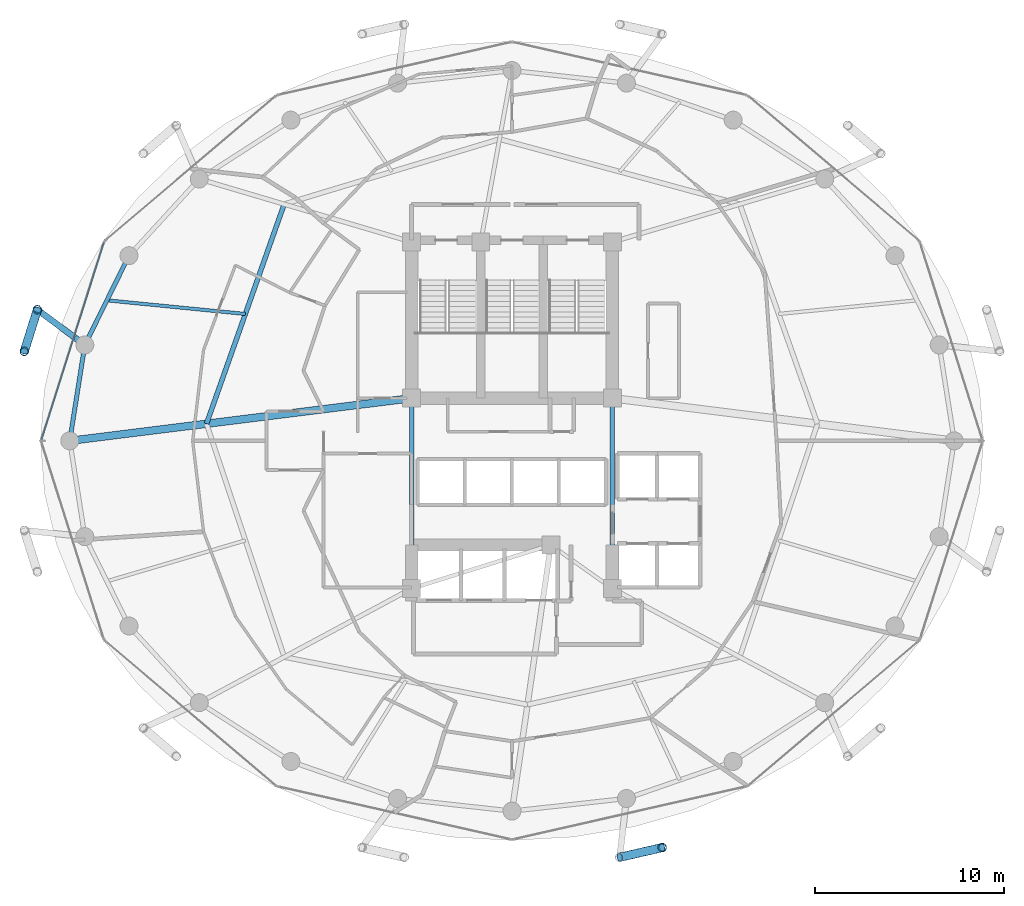
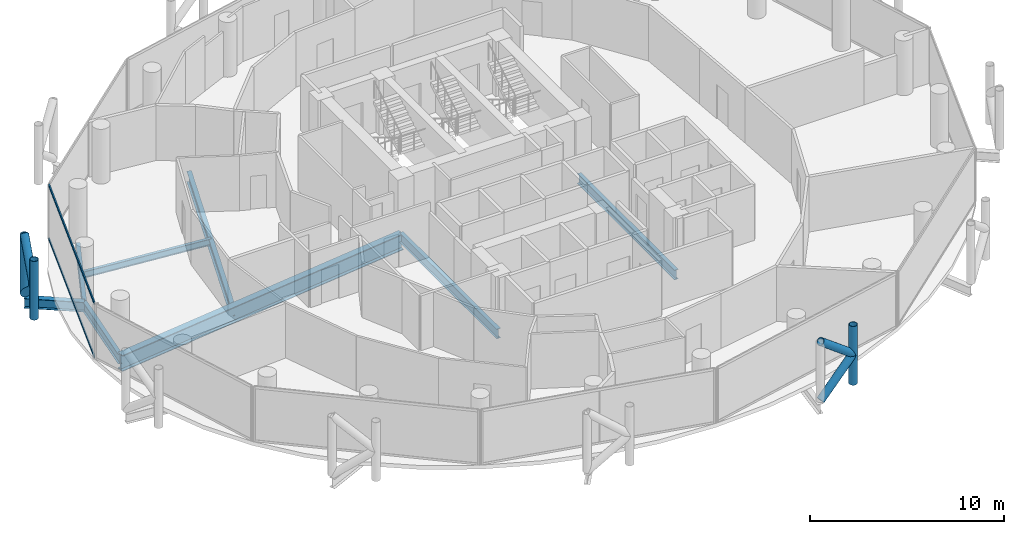
# One storey, part 7 of 27: 9 members, 8 beams, 1 element without a shape of its own.
"""IFC4 building model written with IfcOpenShell, lengths in metres."""

from ifc_helpers import new_model, si_unit, direction, frame, origin, origin_2d, place, context, subcontext, project, spatial, hollow_rectangle, hollow_circle, i_section, extrude, material, layer, layer_set, material_profile, profile_set, type_object, element, aggregate, save


model = new_model("IFC4")

# Units and contexts
model_context = context("Model", 3, precision=1e-05, world=origin(), true_north=direction((0.0, 1.0)))
body_context = subcontext(model_context, "Body", "Model", "MODEL_VIEW")
ifc_project = project(units=[si_unit("LENGTHUNIT", "METRE"), si_unit("AREAUNIT", "SQUARE_METRE"), si_unit("VOLUMEUNIT", "CUBIC_METRE"), si_unit("PLANEANGLEUNIT", "RADIAN"), si_unit("MASSUNIT", "GRAM", prefix="KILO")], contexts=[model_context])

# Site, building, storey
site_placement = place(None, origin())
site = spatial("IfcSite", under=ifc_project, at=site_placement, CompositionType="ELEMENT")
building_placement = place(site_placement, origin())
building = spatial("IfcBuilding", under=site, at=building_placement, Name="Nuhasar Tower", CompositionType="ELEMENT")
storey_placement = place(building_placement, frame((0.0, 0.0, 158.949951171875)))
storey = spatial("IfcBuildingStorey", under=building, at=storey_placement, Name="L38", CompositionType="ELEMENT", Elevation=158.949951171875)

# Beams
ifc_material_1 = material(Name="Steel S355", Category="steel")
ifc_material_profile_1 = material_profile(ifc_material_1, i_section(OverallWidth=0.25390625, OverallDepth=0.68408203125, WebThickness=0.012451171875, FlangeThickness=0.018798828125, at=origin_2d()), Name="W27X94")
ifc_profile_set_1 = profile_set([ifc_material_profile_1], Name="Steel S355")
beam_type_1 = type_object("IfcBeamType", Name="BM-INRING-W27X94", PredefinedType="BEAM", material=ifc_profile_set_1)
beam_1_placement = place(storey_placement, frame((26.972900390625, 39.2939453125, -0.592041015625), z_axis=(-0.333599821096, -0.942714781556, 0.0), x_axis=(0.942714781556, -0.333599821096, 0.0)))
element("IfcBeam", 1, at=beam_1_placement, inside=storey, type_object=beam_type_1, Name="L38 Inner Header Beam 07", PredefinedType="BEAM", context=body_context, shape_type="SweptSolid", body=[
    extrude(i_section(OverallWidth=0.25390625, OverallDepth=0.68408203125, WebThickness=0.012451171875, FlangeThickness=0.018798828125, at=origin_2d()), origin(), (0.0, 0.0, 1.0), 12.298583984375),
])
ifc_material_profile_2 = material_profile(ifc_material_1, i_section(OverallWidth=0.177978515625, OverallDepth=0.406005859375, WebThickness=0.0078125, FlangeThickness=0.0126953125, at=origin_2d()), Name="W16X40")
ifc_profile_set_2 = profile_set([ifc_material_profile_2], Name="Steel S355")
beam_type_2 = type_object("IfcBeamType", Name="BM-JST-W16X40", PredefinedType="JOIST", material=ifc_profile_set_2)
beam_2_placement = place(storey_placement, frame((24.922119140625, 33.4970703125, -0.452880859375), z_axis=(-0.995171845755, 0.098147834497, 0.0), x_axis=(-0.098147834497, -0.995171845755, 0.0)))
element("IfcBeam", 2, at=beam_2_placement, inside=storey, type_object=beam_type_2, Name="L38 Secondary Floor Joist 07", PredefinedType="JOIST", context=body_context, shape_type="SweptSolid", body=[
    extrude(i_section(OverallWidth=0.177978515625, OverallDepth=0.406005859375, WebThickness=0.0078125, FlangeThickness=0.0126953125, at=origin_2d()), origin(), (0.0, 0.0, 1.0), 7.345458984375),
])
ifc_material_profile_3 = material_profile(ifc_material_1, i_section(OverallWidth=0.22900390625, OverallDepth=0.612060546875, WebThickness=0.011962890625, FlangeThickness=0.01953125, at=origin_2d()), Name="W24X84")
ifc_profile_set_3 = profile_set([ifc_material_profile_3], Name="Steel S355")
beam_type_3 = type_object("IfcBeamType", Name="BM-RAD-W24X84", PredefinedType="BEAM", material=ifc_profile_set_3)
for number, where, z_axis, x_axis, name in (
    (3, (44.300048828125, 19.0, -0.555908203125), (0.0, 1.0, 0.0), (-1.0, 0.0, 0.0), "L38 Core Ring Girder 3"),
    (4, (33.699951171875, 29.050048828125, -0.555908203125), (0.0, -1.0, 0.0), (1.0, 0.0, 0.0), "L38 Core Ring Girder 8"),
):
    element("IfcBeam", number, at=place(storey_placement, frame(where, z_axis=z_axis, x_axis=x_axis)), inside=storey, type_object=beam_type_3, Name=name, PredefinedType="BEAM", context=body_context, shape_type="SweptSolid", body=[
        extrude(i_section(OverallWidth=0.22900390625, OverallDepth=0.612060546875, WebThickness=0.011962890625, FlangeThickness=0.01953125, at=origin_2d()), origin(), (0.0, 0.0, 1.0), 10.050048828125),
    ])
ifc_material_profile_4 = material_profile(ifc_material_1, i_section(OverallWidth=0.22998046875, OverallDepth=0.616943359375, WebThickness=0.01318359375, FlangeThickness=0.022216796875, at=origin_2d()), Name="W24X94")
ifc_profile_set_4 = profile_set([ifc_material_profile_4], Name="Steel S355")
beam_type_4 = type_object("IfcBeamType", Name="BM-RING-W24X94", PredefinedType="SPANDREL", material=ifc_profile_set_4)
beam_3_placement = place(storey_placement, frame((18.778076171875, 36.574951171875, -0.558837890625), z_axis=(-0.443347771709, -0.896349682501, 0.0), x_axis=(0.896349682501, -0.443347771709, 0.0)))
element("IfcBeam", 5, at=beam_3_placement, inside=storey, type_object=beam_type_4, Name="L38 Perimeter Ring Spandrel 11", PredefinedType="SPANDREL", context=body_context, shape_type="SweptSolid", body=[
    extrude(i_section(OverallWidth=0.22998046875, OverallDepth=0.616943359375, WebThickness=0.01318359375, FlangeThickness=0.022216796875, at=origin_2d()), origin(), (0.0, 0.0, 1.0), 5.260009765625),
])
beam_4_placement = place(storey_placement, frame((16.446044921875, 31.860107421875, -0.558837890625), z_axis=(-0.155426543608, -0.987847452566, 0.0), x_axis=(0.987847452566, -0.155426543608, 0.0)))
element("IfcBeam", 6, at=beam_4_placement, inside=storey, type_object=beam_type_4, Name="L38 Perimeter Ring Spandrel 12", PredefinedType="SPANDREL", context=body_context, shape_type="SweptSolid", body=[
    extrude(i_section(OverallWidth=0.22998046875, OverallDepth=0.616943359375, WebThickness=0.01318359375, FlangeThickness=0.022216796875, at=origin_2d()), origin(), (0.0, 0.0, 1.0), 5.122314453125),
])
ifc_material_profile_5 = material_profile(ifc_material_1, i_section(OverallWidth=0.323974609375, OverallDepth=0.611083984375, WebThickness=0.0126953125, FlangeThickness=0.01904296875, at=origin_2d()), Name="W24X104")
ifc_profile_set_5 = profile_set([ifc_material_profile_5], Name="Steel S355")
beam_type_5 = type_object("IfcBeamType", Name="BM-TIE-W24X104", PredefinedType="BEAM", material=ifc_profile_set_5)
beam_5_placement = place(storey_placement, frame((16.446044921875, 31.860107421875, -0.555908203125), z_axis=(-0.802872198291, 0.596151183183, 0.0), x_axis=(-0.596151183183, -0.802872198291, 0.0)))
element("IfcBeam", 7, at=beam_5_placement, inside=storey, type_object=beam_type_5, Name="L38 Exoskeleton Node Tie Beam 06", PredefinedType="BEAM", context=body_context, shape_type="SweptSolid", body=[
    extrude(i_section(OverallWidth=0.323974609375, OverallDepth=0.611083984375, WebThickness=0.0126953125, FlangeThickness=0.01904296875, at=origin_2d()), origin(), (0.0, 0.0, 1.0), 3.121337890625),
])
ifc_material_2 = material(Name="Steel S460", Category="steel")
ifc_material_profile_6 = material_profile(ifc_material_2, i_section(OverallWidth=0.40087890625, OverallDepth=1.010009765625, WebThickness=0.023681640625, FlangeThickness=0.0419921875, at=origin_2d()), Name="W40X297")
ifc_profile_set_6 = profile_set([ifc_material_profile_6], Name="Steel S460")
beam_type_6 = type_object("IfcBeamType", Name="BM-XFER-W40X297", PredefinedType="USERDEFINED", material=ifc_profile_set_6)
beam_6_placement = place(storey_placement, frame((33.699951171875, 29.050048828125, -0.7548828125), z_axis=(-0.992320149485, -0.123696082908, 0.0), x_axis=(0.123696082908, -0.992320149485, 0.0)))
element("IfcBeam", 8, at=beam_6_placement, inside=storey, type_object=beam_type_6, Name="L38 Radial Floor Girder 08", ObjectType="GIRDER", PredefinedType="USERDEFINED", context=body_context, shape_type="SweptSolid", body=[
    extrude(i_section(OverallWidth=0.40087890625, OverallDepth=1.010009765625, WebThickness=0.023681640625, FlangeThickness=0.0419921875, at=origin_2d()), origin(), (0.0, 0.0, 1.0), 18.189697265625),
])

# Curtain wall, members
ifc_material_3 = material(Name="Aluminium 6063-T6", Category="aluminium")
ifc_layer = layer(ifc_material_3, 0.199951171875)
ifc_layer_set = layer_set([ifc_layer], Name="Aluminium 6063-T6")
curtain_wall_type = type_object("IfcCurtainWallType", Name="CW-Z2-HTL", PredefinedType="NOTDEFINED", material=ifc_layer_set)
curtain_wall_placement = place(storey_placement, origin())
curtain_wall = element("IfcCurtainWall", 9, at=curtain_wall_placement, inside=storey, type_object=curtain_wall_type, Name="L38 Unitised Curtain Wall 06", PredefinedType="NOTDEFINED")
ifc_material_profile_7 = material_profile(ifc_material_3, hollow_rectangle(XDim=0.070068359375, YDim=0.159912109375, WallThickness=0.00439453125, at=origin_2d()), Name="CWT-3")
ifc_profile_set_7 = profile_set([ifc_material_profile_7], Name="Aluminium 6063-T6")
member_type_1 = type_object("IfcMemberType", Name="CW-TRN-S3", PredefinedType="USERDEFINED", material=ifc_profile_set_7)
member_1_placement = place(storey_placement, frame((17.449951171875, 37.26318359375, 0.03515625), z_axis=(-0.301608163352, -0.953431967053, 0.0), x_axis=(0.953431967053, -0.301608163352, 0.0)))
member_1 = element("IfcMember", 10, at=member_1_placement, type_object=member_type_1, Name="CW-Z2 transom 1.1", ObjectType="TRANSOM", PredefinedType="USERDEFINED", context=body_context, shape_type="SweptSolid", body=[
    extrude(hollow_rectangle(XDim=0.070068359375, YDim=0.159912109375, WallThickness=0.00439453125, at=origin_2d()), origin(), (0.0, 0.0, 1.0), 10.904296875),
])
member_2_placement = place(storey_placement, frame((17.449951171875, 37.26318359375, 3.4150390625), z_axis=(-0.301608163352, -0.953431967053, 0.0), x_axis=(0.953431967053, -0.301608163352, 0.0)))
member_2 = element("IfcMember", 11, at=member_2_placement, type_object=member_type_1, Name="CW-Z2 transom 1.2", ObjectType="TRANSOM", PredefinedType="USERDEFINED", context=body_context, shape_type="SweptSolid", body=[
    extrude(hollow_rectangle(XDim=0.070068359375, YDim=0.159912109375, WallThickness=0.00439453125, at=origin_2d()), origin(), (0.0, 0.0, 1.0), 10.904296875),
])
aggregate(curtain_wall, [member_1, member_2])

# Members
ifc_material_profile_8 = material_profile(ifc_material_2, hollow_circle(Radius=0.228515625, WallThickness=0.022216796875, at=origin_2d()), Name="HSS457X22.2")
ifc_profile_set_8 = profile_set([ifc_material_profile_8], Name="Steel S460")
member_type_2 = type_object("IfcMemberType", Name="EXO-BRONZE-457", PredefinedType="BRACE", material=ifc_profile_set_8)
for number, where, z_axis, x_axis, name in (
    (12, (13.93994140625, 33.720947265625, 0.0), (0.0, 0.0, 1.0), (1.0, 0.0, 0.0), "L38 Exoskeleton Chord Column EC-06A"),
    (13, (13.251953125, 31.52587890625, 0.0), (0.0, 0.0, 1.0), (1.0, 0.0, 0.0), "L38 Exoskeleton Chord Column EC-06B"),
    (14, (46.927978515625, 5.323974609375, 0.0), (0.0, 0.0, 1.0), (1.0, 0.0, 0.0), "L38 Exoskeleton Chord Column EC-10B"),
):
    element("IfcMember", number, at=place(storey_placement, frame(where, z_axis=z_axis, x_axis=x_axis)), inside=storey, type_object=member_type_2, Name=name, PredefinedType="BRACE", context=body_context, shape_type="SweptSolid", body=[
        extrude(hollow_circle(Radius=0.228515625, WallThickness=0.022216796875, at=origin_2d()), origin(), (0.0, 0.0, 1.0), 3.699951171875),
    ])
member_3_placement = place(storey_placement, frame((13.93994140625, 33.720947265625, 0.0), z_axis=(-0.233055548538, -0.743577869731, 0.626719285599), x_axis=(0.954228474306, -0.29907861646, 0.0)))
element("IfcMember", 15, at=member_3_placement, inside=storey, type_object=member_type_2, Name="L38 Bronze Diagrid Brace W1-06", PredefinedType="BRACE", context=body_context, shape_type="SweptSolid", body=[
    extrude(hollow_circle(Radius=0.228515625, WallThickness=0.022216796875, at=origin_2d()), origin(), (0.0, 0.0, 1.0), 2.9521484375),
])
for number, where, z_axis, x_axis, name in (
    (16, (13.251953125, 31.52587890625, 1.85009765625), (0.233067628236, 0.74361641074, 0.626669062861), (-0.954228474306, 0.29907861646, 0.0), "L38 Bronze Diagrid Brace W2-06"),
    (17, (44.68603515625, 4.81005859375, 0.0), (0.759510488094, 0.174101010284, 0.626763637022), (-0.223432882746, 0.974719316987, 0.0), "L38 Bronze Diagrid Brace W1-10"),
):
    element("IfcMember", number, at=place(storey_placement, frame(where, z_axis=z_axis, x_axis=x_axis)), inside=storey, type_object=member_type_2, Name=name, PredefinedType="BRACE", context=body_context, shape_type="SweptSolid", body=[
        extrude(hollow_circle(Radius=0.228515625, WallThickness=0.022216796875, at=origin_2d()), origin(), (0.0, 0.0, 1.0), 2.951904296875),
    ])
member_4_placement = place(storey_placement, frame((46.927978515625, 5.323974609375, 1.85009765625), z_axis=(-0.759549860492, -0.174110035537, 0.626713415327), x_axis=(0.223432882746, -0.974719316987, 0.0)))
element("IfcMember", 18, at=member_4_placement, inside=storey, type_object=member_type_2, Name="L38 Bronze Diagrid Brace W2-10", PredefinedType="BRACE", context=body_context, shape_type="SweptSolid", body=[
    extrude(hollow_circle(Radius=0.228515625, WallThickness=0.022216796875, at=origin_2d()), origin(), (0.0, 0.0, 1.0), 2.95166015625),
])

save(model, "model.ifc")
